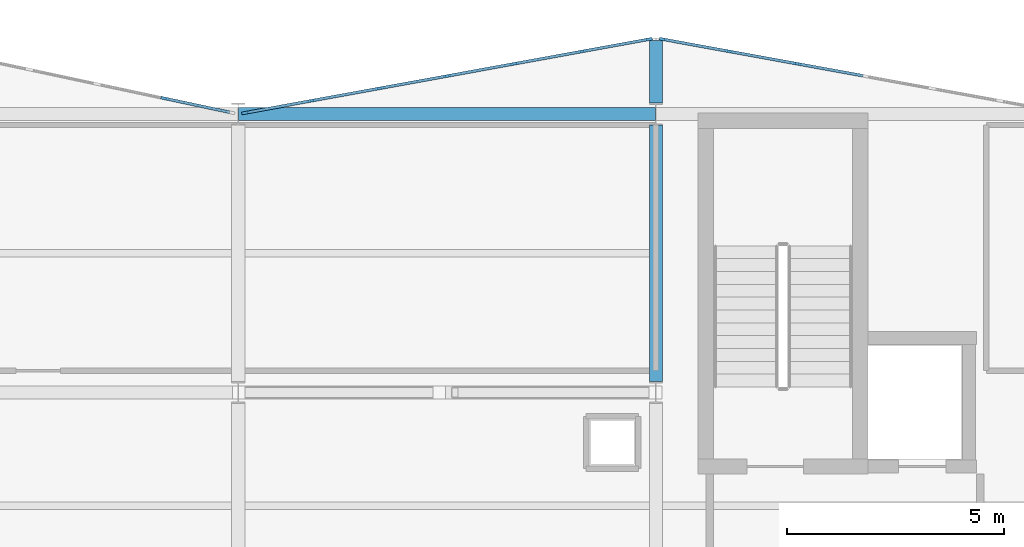
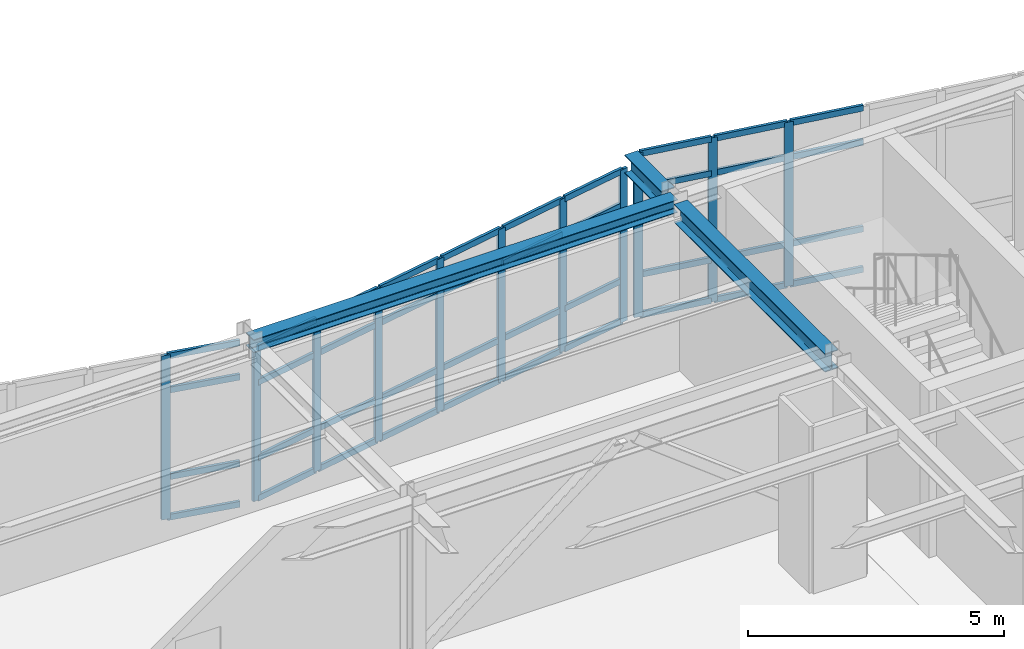
# One storey, part 36 of 76: 51 members, 3 beams, 3 elements without a shape of their own.
"""IFC4 building model written with IfcOpenShell, lengths in metres."""

from ifc_helpers import new_model, si_unit, direction, frame, origin, origin_2d, place, context, subcontext, project, spatial, rectangle, i_section, extrude, material, layer, layer_set, material_profile, profile_set, type_object, element, aggregate, save


model = new_model("IFC4")

# Units and contexts
model_context = context("Model", 3, precision=1e-05, world=origin(), true_north=direction((0.0, 1.0)))
body_context = subcontext(model_context, "Body", "Model", "MODEL_VIEW")
ifc_project = project(units=[si_unit("LENGTHUNIT", "METRE"), si_unit("AREAUNIT", "SQUARE_METRE"), si_unit("VOLUMEUNIT", "CUBIC_METRE"), si_unit("PLANEANGLEUNIT", "RADIAN"), si_unit("MASSUNIT", "GRAM", prefix="KILO")], contexts=[model_context])

# Site, building, storey
site_placement = place(None, origin())
site = spatial("IfcSite", under=ifc_project, at=site_placement, CompositionType="ELEMENT")
building_placement = place(site_placement, origin())
building = spatial("IfcBuilding", under=site, at=building_placement, Name="Nordkorset Police Headquarters", CompositionType="ELEMENT")
storey_placement = place(building_placement, frame((0.0, 0.0, 13.64990234375)))
storey = spatial("IfcBuildingStorey", under=building, at=storey_placement, Name="L03", CompositionType="ELEMENT", Elevation=13.64990234375)

# Curtain wall, member
ifc_material_1 = material(Name="Aluminium alloy AW-6060", Category="aluminium")
ifc_layer_1 = layer(ifc_material_1, 0.179931640625, Name="Aluminium alloy AW-6060")
ifc_layer_set_1 = layer_set([ifc_layer_1], Name="Aluminium alloy AW-6060")
curtain_wall_type_1 = type_object("IfcCurtainWallType", Name="CW_Unit_954x392", PredefinedType="USERDEFINED", material=ifc_layer_set_1)
curtain_wall_1_placement = place(storey_placement, origin())
curtain_wall_1 = element("IfcCurtainWall", 1, at=curtain_wall_1_placement, inside=storey, type_object=curtain_wall_type_1, Name="Unitised Curtain Wall L03 V2N-1", ObjectType="UNITISED CURTAIN WALL", PredefinedType="USERDEFINED")
ifc_material_2 = material(Name="Aluminium alloy AW-6060", Category="aluminium")
ifc_material_profile_1 = material_profile(ifc_material_2, rectangle(XDim=0.06494140625, YDim=0.179931640625, at=origin_2d()), Name="ALU MULL 65x180")
ifc_profile_set_1 = profile_set([ifc_material_profile_1], Name="Aluminium alloy AW-6060")
member_type_1 = type_object("IfcMemberType", Name="CW_Mullion_65x180", PredefinedType="MULLION", material=ifc_profile_set_1)
member_1_placement = place(storey_placement, frame((46.308837890625, 117.1611328125, 0.0), z_axis=(0.0, 0.0, 1.0), x_axis=(0.208832534289, 0.977951416289, 0.0)))
member_1 = element("IfcMember", 2, at=member_1_placement, type_object=member_type_1, Name="CW-20 mullion 6", PredefinedType="MULLION", context=body_context, shape_type="SweptSolid", body=[
    extrude(rectangle(XDim=0.06494140625, YDim=0.179931640625, at=origin_2d()), origin(), (0.0, 0.0, 1.0), 3.920166015625),
])

# Curtain wall, members
ifc_material_3 = material(Name="Aluminium alloy AW-6060", Category="aluminium")
ifc_layer_2 = layer(ifc_material_3, 0.179931640625, Name="Aluminium alloy AW-6060")
ifc_layer_set_2 = layer_set([ifc_layer_2], Name="Aluminium alloy AW-6060")
curtain_wall_type_2 = type_object("IfcCurtainWallType", Name="CW_Unit_948x365", PredefinedType="USERDEFINED", material=ifc_layer_set_2)
curtain_wall_2_placement = place(storey_placement, origin())
curtain_wall_2 = element("IfcCurtainWall", 3, at=curtain_wall_2_placement, inside=storey, type_object=curtain_wall_type_2, Name="Unitised Curtain Wall L03 V2N-2", ObjectType="UNITISED CURTAIN WALL", PredefinedType="USERDEFINED")
member_2_placement = place(storey_placement, frame((48.169677734375, 116.8310546875, 0.0), z_axis=(0.0, 0.0, 1.0), x_axis=(-0.179335715876, 0.983787934979, 0.0)))
member_2 = element("IfcMember", 4, at=member_2_placement, type_object=member_type_1, Name="CW-39 mullion 1", PredefinedType="MULLION", context=body_context, shape_type="SweptSolid", body=[
    extrude(rectangle(XDim=0.06494140625, YDim=0.179931640625, at=origin_2d()), origin(), (0.0, 0.0, 1.0), 3.650146484375),
])
member_3_placement = place(storey_placement, frame((49.69189453125, 117.1083984375, 0.0), z_axis=(0.0, 0.0, 1.0), x_axis=(-0.179335715876, 0.983787934979, 0.0)))
member_3 = element("IfcMember", 5, at=member_3_placement, type_object=member_type_1, Name="CW-39 mullion 2", PredefinedType="MULLION", context=body_context, shape_type="SweptSolid", body=[
    extrude(rectangle(XDim=0.06494140625, YDim=0.179931640625, at=origin_2d()), origin(), (0.0, 0.0, 1.0), 3.650146484375),
])
member_4_placement = place(storey_placement, frame((51.245849609375, 117.3916015625, 0.0), z_axis=(0.0, 0.0, 1.0), x_axis=(-0.179335715876, 0.983787934979, 0.0)))
member_4 = element("IfcMember", 6, at=member_4_placement, type_object=member_type_1, Name="CW-39 mullion 3", PredefinedType="MULLION", context=body_context, shape_type="SweptSolid", body=[
    extrude(rectangle(XDim=0.06494140625, YDim=0.179931640625, at=origin_2d()), origin(), (0.0, 0.0, 1.0), 3.650146484375),
])
member_5_placement = place(storey_placement, frame((52.800048828125, 117.675048828125, 0.0), z_axis=(0.0, 0.0, 1.0), x_axis=(-0.179335715876, 0.983787934979, 0.0)))
member_5 = element("IfcMember", 7, at=member_5_placement, type_object=member_type_1, Name="CW-39 mullion 4", PredefinedType="MULLION", context=body_context, shape_type="SweptSolid", body=[
    extrude(rectangle(XDim=0.06494140625, YDim=0.179931640625, at=origin_2d()), origin(), (0.0, 0.0, 1.0), 3.650146484375),
])
member_6_placement = place(storey_placement, frame((54.35400390625, 117.958251953125, 0.0), z_axis=(0.0, 0.0, 1.0), x_axis=(-0.179335715876, 0.983787934979, 0.0)))
member_6 = element("IfcMember", 8, at=member_6_placement, type_object=member_type_1, Name="CW-39 mullion 5", PredefinedType="MULLION", context=body_context, shape_type="SweptSolid", body=[
    extrude(rectangle(XDim=0.06494140625, YDim=0.179931640625, at=origin_2d()), origin(), (0.0, 0.0, 1.0), 3.650146484375),
])
member_7_placement = place(storey_placement, frame((55.908203125, 118.24169921875, 0.0), z_axis=(0.0, 0.0, 1.0), x_axis=(-0.179335715876, 0.983787934979, 0.0)))
member_7 = element("IfcMember", 9, at=member_7_placement, type_object=member_type_1, Name="CW-39 mullion 6", PredefinedType="MULLION", context=body_context, shape_type="SweptSolid", body=[
    extrude(rectangle(XDim=0.06494140625, YDim=0.179931640625, at=origin_2d()), origin(), (0.0, 0.0, 1.0), 3.650146484375),
])
member_8_placement = place(storey_placement, frame((57.43017578125, 118.51904296875, 0.0), z_axis=(0.0, 0.0, 1.0), x_axis=(-0.179335715876, 0.983787934979, 0.0)))
member_8 = element("IfcMember", 10, at=member_8_placement, type_object=member_type_1, Name="CW-39 mullion 7", PredefinedType="MULLION", context=body_context, shape_type="SweptSolid", body=[
    extrude(rectangle(XDim=0.06494140625, YDim=0.179931640625, at=origin_2d()), origin(), (0.0, 0.0, 1.0), 3.650146484375),
])

ifc_material_4 = material(Name="Aluminium alloy AW-6060", Category="aluminium")
ifc_layer_3 = layer(ifc_material_4, 0.179931640625, Name="Aluminium alloy AW-6060")
ifc_layer_set_3 = layer_set([ifc_layer_3], Name="Aluminium alloy AW-6060")
curtain_wall_type_3 = type_object("IfcCurtainWallType", Name="CW_Unit_948x392", PredefinedType="USERDEFINED", material=ifc_layer_set_3)
curtain_wall_3_placement = place(storey_placement, origin())
curtain_wall_3 = element("IfcCurtainWall", 11, at=curtain_wall_3_placement, inside=storey, type_object=curtain_wall_type_3, Name="Unitised Curtain Wall L03 V2N-3", ObjectType="UNITISED CURTAIN WALL", PredefinedType="USERDEFINED")
member_9_placement = place(storey_placement, frame((57.769775390625, 118.51904296875, 0.0), z_axis=(0.0, 0.0, 1.0), x_axis=(0.179335715876, 0.983787934979, 0.0)))
member_9 = element("IfcMember", 12, at=member_9_placement, type_object=member_type_1, Name="CW-65 mullion 1", PredefinedType="MULLION", context=body_context, shape_type="SweptSolid", body=[
    extrude(rectangle(XDim=0.06494140625, YDim=0.179931640625, at=origin_2d()), origin(), (0.0, 0.0, 1.0), 3.920166015625),
])
member_10_placement = place(storey_placement, frame((59.291748046875, 118.24169921875, 0.0), z_axis=(0.0, 0.0, 1.0), x_axis=(0.179335715876, 0.983787934979, 0.0)))
member_10 = element("IfcMember", 13, at=member_10_placement, type_object=member_type_1, Name="CW-65 mullion 2", PredefinedType="MULLION", context=body_context, shape_type="SweptSolid", body=[
    extrude(rectangle(XDim=0.06494140625, YDim=0.179931640625, at=origin_2d()), origin(), (0.0, 0.0, 1.0), 3.920166015625),
])
member_11_placement = place(storey_placement, frame((60.845947265625, 117.958251953125, 0.0), z_axis=(0.0, 0.0, 1.0), x_axis=(0.179335715876, 0.983787934979, 0.0)))
member_11 = element("IfcMember", 14, at=member_11_placement, type_object=member_type_1, Name="CW-65 mullion 3", PredefinedType="MULLION", context=body_context, shape_type="SweptSolid", body=[
    extrude(rectangle(XDim=0.06494140625, YDim=0.179931640625, at=origin_2d()), origin(), (0.0, 0.0, 1.0), 3.920166015625),
])

# Member
ifc_material_5 = material(Name="Aluminium alloy AW-6060", Category="aluminium")
ifc_material_profile_2 = material_profile(ifc_material_5, rectangle(XDim=0.06494140625, YDim=0.139892578125, at=origin_2d()), Name="ALU TRAN 65x140")
ifc_profile_set_2 = profile_set([ifc_material_profile_2], Name="Aluminium alloy AW-6060")
member_type_2 = type_object("IfcMemberType", Name="CW_Transom_65x140", PredefinedType="USERDEFINED", material=ifc_profile_set_2)
member_12_placement = place(storey_placement, frame((46.340576171875, 117.154296875, 0.03271484375), z_axis=(0.977955422008, -0.208813774846, 0.0), x_axis=(0.208813774846, 0.977955422008, 0.0)))
member_12 = element("IfcMember", 15, at=member_12_placement, type_object=member_type_2, Name="CW-20 transom 6.1", ObjectType="TRANSOM", PredefinedType="USERDEFINED", context=body_context, shape_type="SweptSolid", body=[
    extrude(rectangle(XDim=0.06494140625, YDim=0.139892578125, at=origin_2d()), origin(), (0.0, 0.0, 1.0), 1.491943359375),
])

member_13_placement = place(storey_placement, frame((46.340576171875, 117.154296875, 1.0), z_axis=(0.977955422008, -0.208813774846, 0.0), x_axis=(0.208813774846, 0.977955422008, 0.0)))
member_13 = element("IfcMember", 16, at=member_13_placement, type_object=member_type_2, Name="CW-20 transom 6.2", ObjectType="TRANSOM", PredefinedType="USERDEFINED", context=body_context, shape_type="SweptSolid", body=[
    extrude(rectangle(XDim=0.06494140625, YDim=0.139892578125, at=origin_2d()), origin(), (0.0, 0.0, 1.0), 1.491943359375),
])

member_14_placement = place(storey_placement, frame((46.340576171875, 117.154296875, 3.070068359375), z_axis=(0.977955422008, -0.208813774846, 0.0), x_axis=(0.208813774846, 0.977955422008, 0.0)))
member_14 = element("IfcMember", 17, at=member_14_placement, type_object=member_type_2, Name="CW-20 transom 6.3", ObjectType="TRANSOM", PredefinedType="USERDEFINED", context=body_context, shape_type="SweptSolid", body=[
    extrude(rectangle(XDim=0.06494140625, YDim=0.139892578125, at=origin_2d()), origin(), (0.0, 0.0, 1.0), 1.491943359375),
])

member_15_placement = place(storey_placement, frame((46.340576171875, 117.154296875, 3.8876953125), z_axis=(0.977955422008, -0.208813774846, 0.0), x_axis=(0.208813774846, 0.977955422008, 0.0)))
member_15 = element("IfcMember", 18, at=member_15_placement, type_object=member_type_2, Name="CW-20 transom 6.4", ObjectType="TRANSOM", PredefinedType="USERDEFINED", context=body_context, shape_type="SweptSolid", body=[
    extrude(rectangle(XDim=0.06494140625, YDim=0.139892578125, at=origin_2d()), origin(), (0.0, 0.0, 1.0), 1.491943359375),
])

aggregate(curtain_wall_1, [member_1, member_12, member_13, member_14, member_15])

member_16_placement = place(storey_placement, frame((48.20166015625, 116.836669921875, 0.03271484375), z_axis=(0.98378282961, 0.179363720316, 0.0), x_axis=(-0.179363720316, 0.98378282961, 0.0)))
member_16 = element("IfcMember", 19, at=member_16_placement, type_object=member_type_2, Name="CW-39 transom 1.1", ObjectType="TRANSOM", PredefinedType="USERDEFINED", context=body_context, shape_type="SweptSolid", body=[
    extrude(rectangle(XDim=0.06494140625, YDim=0.139892578125, at=origin_2d()), origin(), (0.0, 0.0, 1.0), 1.482177734375),
])

member_17_placement = place(storey_placement, frame((48.20166015625, 116.836669921875, 1.0), z_axis=(0.98378282961, 0.179363720316, 0.0), x_axis=(-0.179363720316, 0.98378282961, 0.0)))
member_17 = element("IfcMember", 20, at=member_17_placement, type_object=member_type_2, Name="CW-39 transom 1.2", ObjectType="TRANSOM", PredefinedType="USERDEFINED", context=body_context, shape_type="SweptSolid", body=[
    extrude(rectangle(XDim=0.06494140625, YDim=0.139892578125, at=origin_2d()), origin(), (0.0, 0.0, 1.0), 1.482177734375),
])

member_18_placement = place(storey_placement, frame((48.20166015625, 116.836669921875, 2.800048828125), z_axis=(0.98378282961, 0.179363720316, 0.0), x_axis=(-0.179363720316, 0.98378282961, 0.0)))
member_18 = element("IfcMember", 21, at=member_18_placement, type_object=member_type_2, Name="CW-39 transom 1.3", ObjectType="TRANSOM", PredefinedType="USERDEFINED", context=body_context, shape_type="SweptSolid", body=[
    extrude(rectangle(XDim=0.06494140625, YDim=0.139892578125, at=origin_2d()), origin(), (0.0, 0.0, 1.0), 1.482177734375),
])

member_19_placement = place(storey_placement, frame((48.20166015625, 116.836669921875, 3.61767578125), z_axis=(0.98378282961, 0.179363720316, 0.0), x_axis=(-0.179363720316, 0.98378282961, 0.0)))
member_19 = element("IfcMember", 22, at=member_19_placement, type_object=member_type_2, Name="CW-39 transom 1.4", ObjectType="TRANSOM", PredefinedType="USERDEFINED", context=body_context, shape_type="SweptSolid", body=[
    extrude(rectangle(XDim=0.06494140625, YDim=0.139892578125, at=origin_2d()), origin(), (0.0, 0.0, 1.0), 1.482177734375),
])

member_20_placement = place(storey_placement, frame((49.723876953125, 117.1142578125, 0.03271484375), z_axis=(0.983774342545, 0.179410264338, 0.0), x_axis=(-0.179410264338, 0.983774342545, 0.0)))
member_20 = element("IfcMember", 23, at=member_20_placement, type_object=member_type_2, Name="CW-39 transom 2.1", ObjectType="TRANSOM", PredefinedType="USERDEFINED", context=body_context, shape_type="SweptSolid", body=[
    extrude(rectangle(XDim=0.06494140625, YDim=0.139892578125, at=origin_2d()), origin(), (0.0, 0.0, 1.0), 1.5146484375),
])

member_21_placement = place(storey_placement, frame((49.723876953125, 117.1142578125, 1.0), z_axis=(0.983774342545, 0.179410264338, 0.0), x_axis=(-0.179410264338, 0.983774342545, 0.0)))
member_21 = element("IfcMember", 24, at=member_21_placement, type_object=member_type_2, Name="CW-39 transom 2.2", ObjectType="TRANSOM", PredefinedType="USERDEFINED", context=body_context, shape_type="SweptSolid", body=[
    extrude(rectangle(XDim=0.06494140625, YDim=0.139892578125, at=origin_2d()), origin(), (0.0, 0.0, 1.0), 1.5146484375),
])

member_22_placement = place(storey_placement, frame((49.723876953125, 117.1142578125, 2.800048828125), z_axis=(0.983774342545, 0.179410264338, 0.0), x_axis=(-0.179410264338, 0.983774342545, 0.0)))
member_22 = element("IfcMember", 25, at=member_22_placement, type_object=member_type_2, Name="CW-39 transom 2.3", ObjectType="TRANSOM", PredefinedType="USERDEFINED", context=body_context, shape_type="SweptSolid", body=[
    extrude(rectangle(XDim=0.06494140625, YDim=0.139892578125, at=origin_2d()), origin(), (0.0, 0.0, 1.0), 1.5146484375),
])

member_23_placement = place(storey_placement, frame((49.723876953125, 117.1142578125, 3.61767578125), z_axis=(0.983774342545, 0.179410264338, 0.0), x_axis=(-0.179410264338, 0.983774342545, 0.0)))
member_23 = element("IfcMember", 26, at=member_23_placement, type_object=member_type_2, Name="CW-39 transom 2.4", ObjectType="TRANSOM", PredefinedType="USERDEFINED", context=body_context, shape_type="SweptSolid", body=[
    extrude(rectangle(XDim=0.06494140625, YDim=0.139892578125, at=origin_2d()), origin(), (0.0, 0.0, 1.0), 1.5146484375),
])

member_24_placement = place(storey_placement, frame((51.27783203125, 117.3974609375, 0.03271484375), z_axis=(0.983779529869, 0.179381817946, 0.0), x_axis=(-0.179381817946, 0.983779529869, 0.0)))
member_24 = element("IfcMember", 27, at=member_24_placement, type_object=member_type_2, Name="CW-39 transom 3.1", ObjectType="TRANSOM", PredefinedType="USERDEFINED", context=body_context, shape_type="SweptSolid", body=[
    extrude(rectangle(XDim=0.06494140625, YDim=0.139892578125, at=origin_2d()), origin(), (0.0, 0.0, 1.0), 1.514892578125),
])

member_25_placement = place(storey_placement, frame((51.27783203125, 117.3974609375, 1.0), z_axis=(0.983779529869, 0.179381817946, 0.0), x_axis=(-0.179381817946, 0.983779529869, 0.0)))
member_25 = element("IfcMember", 28, at=member_25_placement, type_object=member_type_2, Name="CW-39 transom 3.2", ObjectType="TRANSOM", PredefinedType="USERDEFINED", context=body_context, shape_type="SweptSolid", body=[
    extrude(rectangle(XDim=0.06494140625, YDim=0.139892578125, at=origin_2d()), origin(), (0.0, 0.0, 1.0), 1.514892578125),
])

member_26_placement = place(storey_placement, frame((51.27783203125, 117.3974609375, 2.800048828125), z_axis=(0.983779529869, 0.179381817946, 0.0), x_axis=(-0.179381817946, 0.983779529869, 0.0)))
member_26 = element("IfcMember", 29, at=member_26_placement, type_object=member_type_2, Name="CW-39 transom 3.3", ObjectType="TRANSOM", PredefinedType="USERDEFINED", context=body_context, shape_type="SweptSolid", body=[
    extrude(rectangle(XDim=0.06494140625, YDim=0.139892578125, at=origin_2d()), origin(), (0.0, 0.0, 1.0), 1.514892578125),
])

member_27_placement = place(storey_placement, frame((51.27783203125, 117.3974609375, 3.61767578125), z_axis=(0.983779529869, 0.179381817946, 0.0), x_axis=(-0.179381817946, 0.983779529869, 0.0)))
member_27 = element("IfcMember", 30, at=member_27_placement, type_object=member_type_2, Name="CW-39 transom 3.4", ObjectType="TRANSOM", PredefinedType="USERDEFINED", context=body_context, shape_type="SweptSolid", body=[
    extrude(rectangle(XDim=0.06494140625, YDim=0.139892578125, at=origin_2d()), origin(), (0.0, 0.0, 1.0), 1.514892578125),
])

member_28_placement = place(storey_placement, frame((52.83203125, 117.680908203125, 0.03271484375), z_axis=(0.983802781825, 0.179254250924, 0.0), x_axis=(-0.179254250924, 0.983802781825, 0.0)))
member_28 = element("IfcMember", 31, at=member_28_placement, type_object=member_type_2, Name="CW-39 transom 4.1", ObjectType="TRANSOM", PredefinedType="USERDEFINED", context=body_context, shape_type="SweptSolid", body=[
    extrude(rectangle(XDim=0.06494140625, YDim=0.139892578125, at=origin_2d()), origin(), (0.0, 0.0, 1.0), 1.514404296875),
])

member_29_placement = place(storey_placement, frame((52.83203125, 117.680908203125, 1.0), z_axis=(0.983802781825, 0.179254250924, 0.0), x_axis=(-0.179254250924, 0.983802781825, 0.0)))
member_29 = element("IfcMember", 32, at=member_29_placement, type_object=member_type_2, Name="CW-39 transom 4.2", ObjectType="TRANSOM", PredefinedType="USERDEFINED", context=body_context, shape_type="SweptSolid", body=[
    extrude(rectangle(XDim=0.06494140625, YDim=0.139892578125, at=origin_2d()), origin(), (0.0, 0.0, 1.0), 1.514404296875),
])

member_30_placement = place(storey_placement, frame((52.83203125, 117.680908203125, 2.800048828125), z_axis=(0.983802781825, 0.179254250924, 0.0), x_axis=(-0.179254250924, 0.983802781825, 0.0)))
member_30 = element("IfcMember", 33, at=member_30_placement, type_object=member_type_2, Name="CW-39 transom 4.3", ObjectType="TRANSOM", PredefinedType="USERDEFINED", context=body_context, shape_type="SweptSolid", body=[
    extrude(rectangle(XDim=0.06494140625, YDim=0.139892578125, at=origin_2d()), origin(), (0.0, 0.0, 1.0), 1.514404296875),
])

member_31_placement = place(storey_placement, frame((52.83203125, 117.680908203125, 3.61767578125), z_axis=(0.983802781825, 0.179254250924, 0.0), x_axis=(-0.179254250924, 0.983802781825, 0.0)))
member_31 = element("IfcMember", 34, at=member_31_placement, type_object=member_type_2, Name="CW-39 transom 4.4", ObjectType="TRANSOM", PredefinedType="USERDEFINED", context=body_context, shape_type="SweptSolid", body=[
    extrude(rectangle(XDim=0.06494140625, YDim=0.139892578125, at=origin_2d()), origin(), (0.0, 0.0, 1.0), 1.514404296875),
])

member_32_placement = place(storey_placement, frame((54.385986328125, 117.964111328125, 0.03271484375), z_axis=(0.983779529869, 0.179381817946, 0.0), x_axis=(-0.179381817946, 0.983779529869, 0.0)))
member_32 = element("IfcMember", 35, at=member_32_placement, type_object=member_type_2, Name="CW-39 transom 5.1", ObjectType="TRANSOM", PredefinedType="USERDEFINED", context=body_context, shape_type="SweptSolid", body=[
    extrude(rectangle(XDim=0.06494140625, YDim=0.139892578125, at=origin_2d()), origin(), (0.0, 0.0, 1.0), 1.514892578125),
])

member_33_placement = place(storey_placement, frame((54.385986328125, 117.964111328125, 1.0), z_axis=(0.983779529869, 0.179381817946, 0.0), x_axis=(-0.179381817946, 0.983779529869, 0.0)))
member_33 = element("IfcMember", 36, at=member_33_placement, type_object=member_type_2, Name="CW-39 transom 5.2", ObjectType="TRANSOM", PredefinedType="USERDEFINED", context=body_context, shape_type="SweptSolid", body=[
    extrude(rectangle(XDim=0.06494140625, YDim=0.139892578125, at=origin_2d()), origin(), (0.0, 0.0, 1.0), 1.514892578125),
])

member_34_placement = place(storey_placement, frame((54.385986328125, 117.964111328125, 2.800048828125), z_axis=(0.983779529869, 0.179381817946, 0.0), x_axis=(-0.179381817946, 0.983779529869, 0.0)))
member_34 = element("IfcMember", 37, at=member_34_placement, type_object=member_type_2, Name="CW-39 transom 5.3", ObjectType="TRANSOM", PredefinedType="USERDEFINED", context=body_context, shape_type="SweptSolid", body=[
    extrude(rectangle(XDim=0.06494140625, YDim=0.139892578125, at=origin_2d()), origin(), (0.0, 0.0, 1.0), 1.514892578125),
])

member_35_placement = place(storey_placement, frame((54.385986328125, 117.964111328125, 3.61767578125), z_axis=(0.983779529869, 0.179381817946, 0.0), x_axis=(-0.179381817946, 0.983779529869, 0.0)))
member_35 = element("IfcMember", 38, at=member_35_placement, type_object=member_type_2, Name="CW-39 transom 5.4", ObjectType="TRANSOM", PredefinedType="USERDEFINED", context=body_context, shape_type="SweptSolid", body=[
    extrude(rectangle(XDim=0.06494140625, YDim=0.139892578125, at=origin_2d()), origin(), (0.0, 0.0, 1.0), 1.514892578125),
])

member_36_placement = place(storey_placement, frame((55.940185546875, 118.247314453125, 0.03271484375), z_axis=(0.98378282961, 0.179363720316, 0.0), x_axis=(-0.179363720316, 0.98378282961, 0.0)))
member_36 = element("IfcMember", 39, at=member_36_placement, type_object=member_type_2, Name="CW-39 transom 6.1", ObjectType="TRANSOM", PredefinedType="USERDEFINED", context=body_context, shape_type="SweptSolid", body=[
    extrude(rectangle(XDim=0.06494140625, YDim=0.139892578125, at=origin_2d()), origin(), (0.0, 0.0, 1.0), 1.482177734375),
])

member_37_placement = place(storey_placement, frame((55.940185546875, 118.247314453125, 1.0), z_axis=(0.98378282961, 0.179363720316, 0.0), x_axis=(-0.179363720316, 0.98378282961, 0.0)))
member_37 = element("IfcMember", 40, at=member_37_placement, type_object=member_type_2, Name="CW-39 transom 6.2", ObjectType="TRANSOM", PredefinedType="USERDEFINED", context=body_context, shape_type="SweptSolid", body=[
    extrude(rectangle(XDim=0.06494140625, YDim=0.139892578125, at=origin_2d()), origin(), (0.0, 0.0, 1.0), 1.482177734375),
])

member_38_placement = place(storey_placement, frame((55.940185546875, 118.247314453125, 2.800048828125), z_axis=(0.98378282961, 0.179363720316, 0.0), x_axis=(-0.179363720316, 0.98378282961, 0.0)))
member_38 = element("IfcMember", 41, at=member_38_placement, type_object=member_type_2, Name="CW-39 transom 6.3", ObjectType="TRANSOM", PredefinedType="USERDEFINED", context=body_context, shape_type="SweptSolid", body=[
    extrude(rectangle(XDim=0.06494140625, YDim=0.139892578125, at=origin_2d()), origin(), (0.0, 0.0, 1.0), 1.482177734375),
])

member_39_placement = place(storey_placement, frame((55.940185546875, 118.247314453125, 3.61767578125), z_axis=(0.98378282961, 0.179363720316, 0.0), x_axis=(-0.179363720316, 0.98378282961, 0.0)))
member_39 = element("IfcMember", 42, at=member_39_placement, type_object=member_type_2, Name="CW-39 transom 6.4", ObjectType="TRANSOM", PredefinedType="USERDEFINED", context=body_context, shape_type="SweptSolid", body=[
    extrude(rectangle(XDim=0.06494140625, YDim=0.139892578125, at=origin_2d()), origin(), (0.0, 0.0, 1.0), 1.482177734375),
])

aggregate(curtain_wall_2, [member_2, member_3, member_4, member_5, member_6, member_7, member_8, member_16, member_17, member_18, member_19, member_20, member_21, member_22, member_23, member_24, member_25, member_26, member_27, member_28, member_29, member_30, member_31, member_32, member_33, member_34, member_35, member_36, member_37, member_38, member_39])

member_40_placement = place(storey_placement, frame((57.8017578125, 118.51318359375, 0.03271484375), z_axis=(0.983777529541, -0.179392787955, 0.0), x_axis=(0.179392787955, 0.983777529541, 0.0)))
member_40 = element("IfcMember", 43, at=member_40_placement, type_object=member_type_2, Name="CW-65 transom 1.1", ObjectType="TRANSOM", PredefinedType="USERDEFINED", context=body_context, shape_type="SweptSolid", body=[
    extrude(rectangle(XDim=0.06494140625, YDim=0.139892578125, at=origin_2d()), origin(), (0.0, 0.0, 1.0), 1.48193359375),
])

member_41_placement = place(storey_placement, frame((57.8017578125, 118.51318359375, 1.0), z_axis=(0.983777529541, -0.179392787955, 0.0), x_axis=(0.179392787955, 0.983777529541, 0.0)))
member_41 = element("IfcMember", 44, at=member_41_placement, type_object=member_type_2, Name="CW-65 transom 1.2", ObjectType="TRANSOM", PredefinedType="USERDEFINED", context=body_context, shape_type="SweptSolid", body=[
    extrude(rectangle(XDim=0.06494140625, YDim=0.139892578125, at=origin_2d()), origin(), (0.0, 0.0, 1.0), 1.48193359375),
])

member_42_placement = place(storey_placement, frame((57.8017578125, 118.51318359375, 3.070068359375), z_axis=(0.983777529541, -0.179392787955, 0.0), x_axis=(0.179392787955, 0.983777529541, 0.0)))
member_42 = element("IfcMember", 45, at=member_42_placement, type_object=member_type_2, Name="CW-65 transom 1.3", ObjectType="TRANSOM", PredefinedType="USERDEFINED", context=body_context, shape_type="SweptSolid", body=[
    extrude(rectangle(XDim=0.06494140625, YDim=0.139892578125, at=origin_2d()), origin(), (0.0, 0.0, 1.0), 1.48193359375),
])

member_43_placement = place(storey_placement, frame((57.8017578125, 118.51318359375, 3.8876953125), z_axis=(0.983777529541, -0.179392787955, 0.0), x_axis=(0.179392787955, 0.983777529541, 0.0)))
member_43 = element("IfcMember", 46, at=member_43_placement, type_object=member_type_2, Name="CW-65 transom 1.4", ObjectType="TRANSOM", PredefinedType="USERDEFINED", context=body_context, shape_type="SweptSolid", body=[
    extrude(rectangle(XDim=0.06494140625, YDim=0.139892578125, at=origin_2d()), origin(), (0.0, 0.0, 1.0), 1.48193359375),
])

member_44_placement = place(storey_placement, frame((59.32373046875, 118.23583984375, 0.03271484375), z_axis=(0.983779529869, -0.179381817946, 0.0), x_axis=(0.179381817946, 0.983779529869, 0.0)))
member_44 = element("IfcMember", 47, at=member_44_placement, type_object=member_type_2, Name="CW-65 transom 2.1", ObjectType="TRANSOM", PredefinedType="USERDEFINED", context=body_context, shape_type="SweptSolid", body=[
    extrude(rectangle(XDim=0.06494140625, YDim=0.139892578125, at=origin_2d()), origin(), (0.0, 0.0, 1.0), 1.514892578125),
])

member_45_placement = place(storey_placement, frame((59.32373046875, 118.23583984375, 1.0), z_axis=(0.983779529869, -0.179381817946, 0.0), x_axis=(0.179381817946, 0.983779529869, 0.0)))
member_45 = element("IfcMember", 48, at=member_45_placement, type_object=member_type_2, Name="CW-65 transom 2.2", ObjectType="TRANSOM", PredefinedType="USERDEFINED", context=body_context, shape_type="SweptSolid", body=[
    extrude(rectangle(XDim=0.06494140625, YDim=0.139892578125, at=origin_2d()), origin(), (0.0, 0.0, 1.0), 1.514892578125),
])

member_46_placement = place(storey_placement, frame((59.32373046875, 118.23583984375, 3.070068359375), z_axis=(0.983779529869, -0.179381817946, 0.0), x_axis=(0.179381817946, 0.983779529869, 0.0)))
member_46 = element("IfcMember", 49, at=member_46_placement, type_object=member_type_2, Name="CW-65 transom 2.3", ObjectType="TRANSOM", PredefinedType="USERDEFINED", context=body_context, shape_type="SweptSolid", body=[
    extrude(rectangle(XDim=0.06494140625, YDim=0.139892578125, at=origin_2d()), origin(), (0.0, 0.0, 1.0), 1.514892578125),
])

member_47_placement = place(storey_placement, frame((59.32373046875, 118.23583984375, 3.8876953125), z_axis=(0.983779529869, -0.179381817946, 0.0), x_axis=(0.179381817946, 0.983779529869, 0.0)))
member_47 = element("IfcMember", 50, at=member_47_placement, type_object=member_type_2, Name="CW-65 transom 2.4", ObjectType="TRANSOM", PredefinedType="USERDEFINED", context=body_context, shape_type="SweptSolid", body=[
    extrude(rectangle(XDim=0.06494140625, YDim=0.139892578125, at=origin_2d()), origin(), (0.0, 0.0, 1.0), 1.514892578125),
])

member_48_placement = place(storey_placement, frame((60.8779296875, 117.952392578125, 0.03271484375), z_axis=(0.983802781825, -0.179254250924, 0.0), x_axis=(0.179254250924, 0.983802781825, 0.0)))
member_48 = element("IfcMember", 51, at=member_48_placement, type_object=member_type_2, Name="CW-65 transom 3.1", ObjectType="TRANSOM", PredefinedType="USERDEFINED", context=body_context, shape_type="SweptSolid", body=[
    extrude(rectangle(XDim=0.06494140625, YDim=0.139892578125, at=origin_2d()), origin(), (0.0, 0.0, 1.0), 1.514404296875),
])

member_49_placement = place(storey_placement, frame((60.8779296875, 117.952392578125, 1.0), z_axis=(0.983802781825, -0.179254250924, 0.0), x_axis=(0.179254250924, 0.983802781825, 0.0)))
member_49 = element("IfcMember", 52, at=member_49_placement, type_object=member_type_2, Name="CW-65 transom 3.2", ObjectType="TRANSOM", PredefinedType="USERDEFINED", context=body_context, shape_type="SweptSolid", body=[
    extrude(rectangle(XDim=0.06494140625, YDim=0.139892578125, at=origin_2d()), origin(), (0.0, 0.0, 1.0), 1.514404296875),
])

member_50_placement = place(storey_placement, frame((60.8779296875, 117.952392578125, 3.070068359375), z_axis=(0.983802781825, -0.179254250924, 0.0), x_axis=(0.179254250924, 0.983802781825, 0.0)))
member_50 = element("IfcMember", 53, at=member_50_placement, type_object=member_type_2, Name="CW-65 transom 3.3", ObjectType="TRANSOM", PredefinedType="USERDEFINED", context=body_context, shape_type="SweptSolid", body=[
    extrude(rectangle(XDim=0.06494140625, YDim=0.139892578125, at=origin_2d()), origin(), (0.0, 0.0, 1.0), 1.514404296875),
])

member_51_placement = place(storey_placement, frame((60.8779296875, 117.952392578125, 3.8876953125), z_axis=(0.983802781825, -0.179254250924, 0.0), x_axis=(0.179254250924, 0.983802781825, 0.0)))
member_51 = element("IfcMember", 54, at=member_51_placement, type_object=member_type_2, Name="CW-65 transom 3.4", ObjectType="TRANSOM", PredefinedType="USERDEFINED", context=body_context, shape_type="SweptSolid", body=[
    extrude(rectangle(XDim=0.06494140625, YDim=0.139892578125, at=origin_2d()), origin(), (0.0, 0.0, 1.0), 1.514404296875),
])

aggregate(curtain_wall_3, [member_9, member_10, member_11, member_40, member_41, member_42, member_43, member_44, member_45, member_46, member_47, member_48, member_49, member_50, member_51])

# Beams
ifc_material_6 = material(Name="Steel S355J2", Category="steel")
ifc_material_profile_3 = material_profile(ifc_material_6, i_section(OverallWidth=0.300048828125, OverallDepth=0.43994140625, WebThickness=0.011474609375, FlangeThickness=0.02099609375, FilletRadius=0.027099609375, at=origin_2d()), Name="HEA 450")
ifc_profile_set_3 = profile_set([ifc_material_profile_3], Name="Steel S355J2")
beam_type_1 = type_object("IfcBeamType", Name="Girder_HEA_450", PredefinedType="USERDEFINED", material=ifc_profile_set_3)
beam_1_placement = place(storey_placement, frame((57.60009765625, 110.64990234375, 3.760009765625), z_axis=(0.0, 1.0, 0.0), x_axis=(-1.0, 0.0, 0.0)))
element("IfcBeam", 55, at=beam_1_placement, inside=storey, type_object=beam_type_1, Name="Girder V2 L03 GY-3-2", ObjectType="GIRDER", PredefinedType="USERDEFINED", context=body_context, shape_type="SweptSolid", body=[
    extrude(i_section(OverallWidth=0.300048828125, OverallDepth=0.43994140625, WebThickness=0.011474609375, FlangeThickness=0.02099609375, FilletRadius=0.027099609375, at=origin_2d()), origin(), (0.0, 0.0, 1.0), 5.900146484375),
])
beam_2_placement = place(storey_placement, frame((57.60009765625, 117.050048828125, 3.760009765625), z_axis=(0.0, 1.0, 0.0), x_axis=(-1.0, 0.0, 0.0)))
element("IfcBeam", 56, at=beam_2_placement, inside=storey, type_object=beam_type_1, Name="Sawtooth Facade Outrigger V2 L03 57", ObjectType="GIRDER", PredefinedType="USERDEFINED", context=body_context, shape_type="SweptSolid", body=[
    extrude(i_section(OverallWidth=0.300048828125, OverallDepth=0.43994140625, WebThickness=0.011474609375, FlangeThickness=0.02099609375, FilletRadius=0.027099609375, at=origin_2d()), origin(), (0.0, 0.0, 1.0), 1.43994140625),
])
ifc_material_7 = material(Name="Steel S355J2", Category="steel")
ifc_material_profile_4 = material_profile(ifc_material_7, i_section(OverallWidth=0.300048828125, OverallDepth=0.31005859375, WebThickness=0.009033203125, FlangeThickness=0.015380859375, FilletRadius=0.027099609375, at=origin_2d()), Name="HEA 320")
ifc_profile_set_4 = profile_set([ifc_material_profile_4], Name="Steel S355J2")
beam_type_2 = type_object("IfcBeamType", Name="Spandrel_HEA_320", PredefinedType="SPANDREL", material=ifc_profile_set_4)
beam_3_placement = place(storey_placement, frame((48.00732421875, 116.800048828125, 3.8251953125), z_axis=(1.0, 0.0, 0.0), x_axis=(0.0, 1.0, 0.0)))
element("IfcBeam", 57, at=beam_3_placement, inside=storey, type_object=beam_type_2, Name="Girder V2 L03 GX-3-2", PredefinedType="SPANDREL", context=body_context, shape_type="SweptSolid", body=[
    extrude(i_section(OverallWidth=0.300048828125, OverallDepth=0.31005859375, WebThickness=0.009033203125, FlangeThickness=0.015380859375, FilletRadius=0.027099609375, at=origin_2d()), origin(), (0.0, 0.0, 1.0), 9.58544921875),
])

save(model, "model.ifc")
